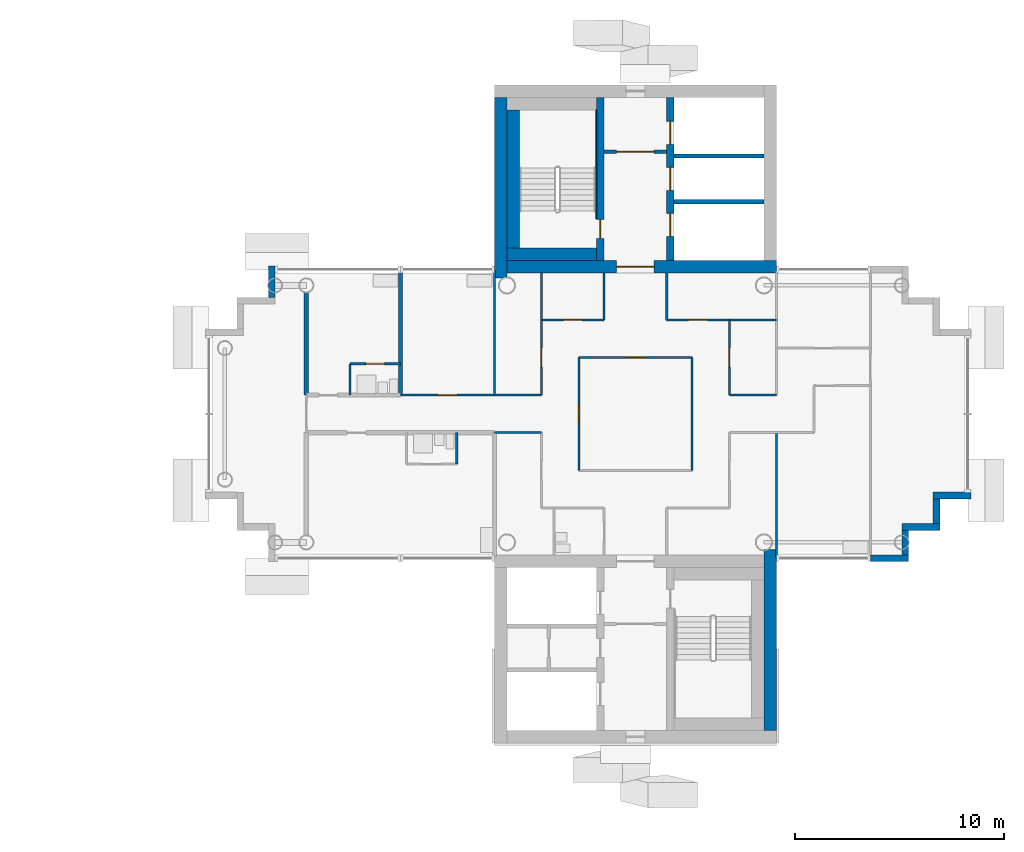
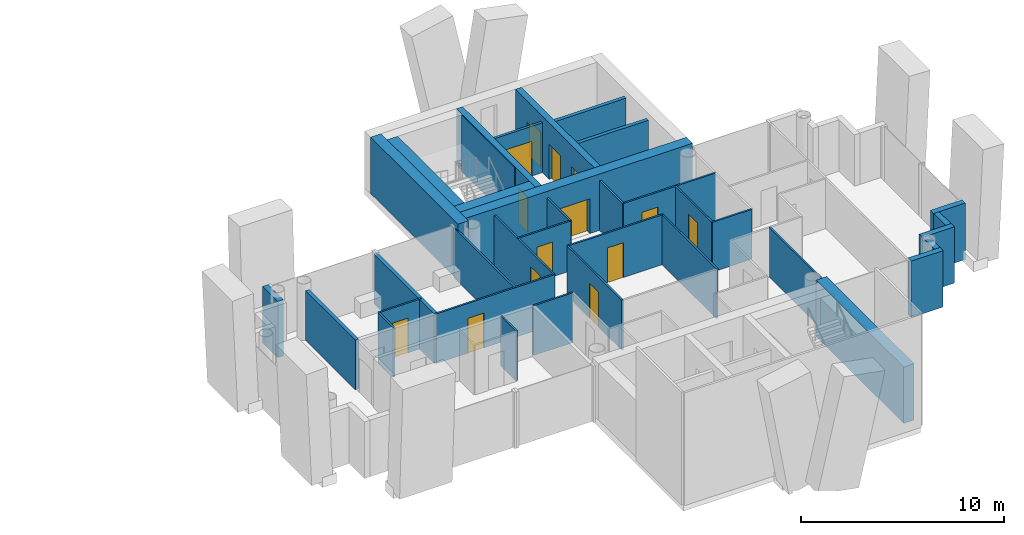
# One storey, part 10 of 18: 36 walls, 14 doors, 14 openings.
"""IFC4 building model written with IfcOpenShell, lengths in metres."""

from ifc_helpers import new_model, si_unit, direction, frame, frame_2d, origin, place, context, subcontext, project, spatial, rectangle, extrude, material, layer, layer_set, type_object, element, fill, save


model = new_model("IFC4")

# Units and contexts
model_context = context("Model", 3, precision=1e-05, world=origin(), true_north=direction((0.0, 1.0)))
body_context = subcontext(model_context, "Body", "Model", "MODEL_VIEW")
ifc_project = project(units=[si_unit("LENGTHUNIT", "METRE"), si_unit("AREAUNIT", "SQUARE_METRE"), si_unit("VOLUMEUNIT", "CUBIC_METRE"), si_unit("PLANEANGLEUNIT", "RADIAN"), si_unit("MASSUNIT", "GRAM", prefix="KILO")], contexts=[model_context])

# Site, building, storey
site_placement = place(None, origin())
site = spatial("IfcSite", under=ifc_project, at=site_placement, CompositionType="ELEMENT")
building_placement = place(site_placement, origin())
building = spatial("IfcBuilding", under=site, at=building_placement, Name="Ipe Terrace Towers", CompositionType="ELEMENT")
storey_placement = place(building_placement, frame((0.0, 0.0, 209.60009765625)))
storey = spatial("IfcBuildingStorey", under=building, at=storey_placement, Name="L58", CompositionType="ELEMENT", Elevation=209.60009765625)

# Walls
ifc_material_1 = material(Name="Concrete C40/50 with buff precast cladding", Category="concrete")
ifc_layer_1 = layer(ifc_material_1, 0.320068359375)
ifc_layer_set_1 = layer_set([ifc_layer_1], Name="BUFF CLADDING WALL 320")
wall_type_1 = type_object("IfcWallType", Name="BUFF CLADDING WALL 320", PredefinedType="STANDARD", material=ifc_layer_set_1)
wall_1_placement = place(storey_placement, frame((47.25, -6.909912109375, -0.300048828125), z_axis=(0.0, 0.0, 1.0), x_axis=(1.0, 0.0, 0.0)))
element("IfcWall", 1, at=wall_1_placement, inside=storey, type_object=wall_type_1, Name="T2-W-L58-03a wall", PredefinedType="STANDARD", context=body_context, shape_type="SweptSolid", body=[
    extrude(rectangle(XDim=1.820068359375, YDim=0.320068359375, at=frame_2d((0.91015625, 0.0))), origin(), (0.0, 0.0, 1.0), 3.39990234375),
])
wall_2_placement = place(storey_placement, frame((48.909912109375, -6.75, -0.300048828125), z_axis=(0.0, 0.0, 1.0), x_axis=(0.0, 1.0, 0.0)))
element("IfcWall", 2, at=wall_2_placement, inside=storey, type_object=wall_type_1, Name="T2-W-L58-04a wall", PredefinedType="STANDARD", context=body_context, shape_type="SweptSolid", body=[
    extrude(rectangle(XDim=1.179931640625, YDim=0.320068359375, at=frame_2d((0.58984375, 0.0))), origin(), (0.0, 0.0, 1.0), 3.39990234375),
])
wall_3_placement = place(storey_placement, frame((48.75, -5.409912109375, -0.300048828125), z_axis=(0.0, 0.0, 1.0), x_axis=(1.0, 0.0, 0.0)))
element("IfcWall", 3, at=wall_3_placement, inside=storey, type_object=wall_type_1, Name="T2-W-L58-05a wall", PredefinedType="STANDARD", context=body_context, shape_type="SweptSolid", body=[
    extrude(rectangle(XDim=1.820068359375, YDim=0.320068359375, at=frame_2d((0.91015625, 0.0))), origin(), (0.0, 0.0, 1.0), 3.39990234375),
])
wall_4_placement = place(storey_placement, frame((50.409912109375, -5.25, -0.300048828125), z_axis=(0.0, 0.0, 1.0), x_axis=(0.0, 1.0, 0.0)))
element("IfcWall", 4, at=wall_4_placement, inside=storey, type_object=wall_type_1, Name="T2-W-L58-06a wall", PredefinedType="STANDARD", context=body_context, shape_type="SweptSolid", body=[
    extrude(rectangle(XDim=1.179931640625, YDim=0.320068359375, at=frame_2d((0.58984375, 0.0))), origin(), (0.0, 0.0, 1.0), 3.39990234375),
])
wall_5_placement = place(storey_placement, frame((50.25, -3.909912109375, -0.300048828125), z_axis=(0.0, 0.0, 1.0), x_axis=(1.0, 0.0, 0.0)))
element("IfcWall", 5, at=wall_5_placement, inside=storey, type_object=wall_type_1, Name="T2-W-L58-07a wall", PredefinedType="STANDARD", context=body_context, shape_type="SweptSolid", body=[
    extrude(rectangle(XDim=1.820068359375, YDim=0.320068359375, at=frame_2d((0.91015625, 0.0))), origin(), (0.0, 0.0, 1.0), 3.39990234375),
])
wall_6_placement = place(storey_placement, frame((18.590087890625, 7.070068359375, -0.300048828125), z_axis=(0.0, 0.0, 1.0), x_axis=(0.0, -1.0, 0.0)))
element("IfcWall", 6, at=wall_6_placement, inside=storey, type_object=wall_type_1, Name="T2-W-L58-22a wall", PredefinedType="STANDARD", context=body_context, shape_type="SweptSolid", body=[
    extrude(rectangle(XDim=1.5, YDim=0.320068359375, at=frame_2d((0.75, 0.0))), origin(), (0.0, 0.0, 1.0), 3.39990234375),
])
ifc_material_2 = material(Name="Gypsum board partition", Category="plasterboard")
ifc_layer_2 = layer(ifc_material_2, 0.10009765625)
ifc_layer_set_2 = layer_set([ifc_layer_2], Name="Gypsum board partition 100 mm")
wall_type_2 = type_object("IfcWallType", Name="Gypsum board partition 100 mm", PredefinedType="PARTITIONING", material=ifc_layer_set_2)
for number, where, z_axis, x_axis, name in (
    (7, (31.5, -0.89990234375, 0.0), (0.0, 0.0, 1.0), (-1.0, 0.0, 0.0), "Gypsum board partition T2 L58 W06"),
    (8, (42.75, 0.89990234375, 0.0), (0.0, 0.0, 1.0), (-1.0, 0.0, 0.0), "Gypsum board partition T2 L58 W08"),
):
    element("IfcWall", number, at=place(storey_placement, frame(where, z_axis=z_axis, x_axis=x_axis)), inside=storey, type_object=wall_type_2, Name=name, PredefinedType="PARTITIONING", context=body_context, shape_type="SweptSolid", body=[
        extrude(rectangle(XDim=2.25, YDim=0.10009765625, at=frame_2d((1.125, 0.0))), origin(), (0.0, 0.0, 1.0), 3.0),
    ])

# Wall, opening, door
wall_7_placement = place(storey_placement, frame((31.5, 0.89990234375, 0.0), z_axis=(0.0, 0.0, 1.0), x_axis=(-1.0, 0.0, 0.0)))
wall_7 = element("IfcWall", 9, at=wall_7_placement, inside=storey, type_object=wall_type_2, Name="Gypsum board partition T2 L58 W09", PredefinedType="PARTITIONING", context=body_context, shape_type="SweptSolid", body=[
    extrude(rectangle(XDim=6.75, YDim=0.10009765625, at=frame_2d((3.375, 0.0))), origin(), (0.0, 0.0, 1.0), 3.0),
])
opening_1_placement = place(wall_7_placement, frame((4.050048828125, 0.0, 0.0)))
opening_1 = element("IfcOpeningElement", 10, at=opening_1_placement, cuts=wall_7, Name="Opening T2-Z4E-12", PredefinedType="OPENING", context=body_context, shape_type="SweptSolid", body=[
    extrude(rectangle(XDim=0.89990234375, YDim=2.10009765625, at=frame_2d((0.449951171875, 1.050048828125))), frame((0.0, 0.06005859375, 0.0), z_axis=(0.0, -1.0, 0.0), x_axis=(1.0, 0.0, 0.0)), (0.0, 0.0, 1.0), 0.1201171875),
])
ifc_material_3 = material(Name="Timber door leaf", Category="wood")
door_type_1 = type_object("IfcDoorType", Name="Lounge door 900 x 2100", OperationType="NOTDEFINED", PredefinedType="DOOR", material=ifc_material_3)
door_1_placement = place(opening_1_placement, origin())
door_1 = element("IfcDoor", 11, at=door_1_placement, inside=storey, type_object=door_type_1, Name="Lounge door T2-Z4E-12", OperationType="SINGLE_SWING_RIGHT", OverallHeight=2.10009765625, OverallWidth=0.89990234375, PredefinedType="DOOR", context=body_context, shape_type="SweptSolid", body=[
    extrude(rectangle(XDim=0.89990234375, YDim=2.10009765625, at=frame_2d((0.449951171875, 1.050048828125))), frame((0.0, 0.02490234375, 0.0), z_axis=(0.0, -1.0, 0.0), x_axis=(1.0, 0.0, 0.0)), (0.0, 0.0, 1.0), 0.050048828125),
])
fill(opening_1, door_1)

wall_8_placement = place(storey_placement, frame((24.75, 2.39990234375, 0.0), z_axis=(0.0, 0.0, 1.0), x_axis=(-1.0, 0.0, 0.0)))
wall_8 = element("IfcWall", 12, at=wall_8_placement, inside=storey, type_object=wall_type_2, Name="Gypsum board partition T2 L58 W12", PredefinedType="PARTITIONING", context=body_context, shape_type="SweptSolid", body=[
    extrude(rectangle(XDim=2.39990234375, YDim=0.10009765625, at=frame_2d((1.199951171875, 0.0))), origin(), (0.0, 0.0, 1.0), 3.0),
])
opening_2_placement = place(wall_8_placement, frame((0.75, 0.0, 0.0)))
opening_2 = element("IfcOpeningElement", 13, at=opening_2_placement, cuts=wall_8, Name="Opening T2-Z4E-14", PredefinedType="OPENING", context=body_context, shape_type="SweptSolid", body=[
    extrude(rectangle(XDim=0.89990234375, YDim=2.10009765625, at=frame_2d((0.449951171875, 1.050048828125))), frame((0.0, 0.06005859375, 0.0), z_axis=(0.0, -1.0, 0.0), x_axis=(1.0, 0.0, 0.0)), (0.0, 0.0, 1.0), 0.1201171875),
])
ifc_material_4 = material(Name="Timber door leaf", Category="wood")
door_type_2 = type_object("IfcDoorType", Name="Bathroom door 900 x 2100", OperationType="NOTDEFINED", PredefinedType="DOOR", material=ifc_material_4)
door_2_placement = place(opening_2_placement, origin())
door_2 = element("IfcDoor", 14, at=door_2_placement, inside=storey, type_object=door_type_2, Name="Bathroom door T2-Z4E-14", OperationType="SINGLE_SWING_RIGHT", OverallHeight=2.10009765625, OverallWidth=0.89990234375, PredefinedType="DOOR", context=body_context, shape_type="SweptSolid", body=[
    extrude(rectangle(XDim=0.89990234375, YDim=2.10009765625, at=frame_2d((0.449951171875, 1.050048828125))), frame((0.0, 0.02490234375, 0.0), z_axis=(0.0, -1.0, 0.0), x_axis=(1.0, 0.0, 0.0)), (0.0, 0.0, 1.0), 0.050048828125),
])
fill(opening_2, door_2)

wall_9_placement = place(storey_placement, frame((38.699951171875, 2.699951171875, 0.0), z_axis=(0.0, 0.0, 1.0), x_axis=(-1.0, 0.0, 0.0)))
wall_9 = element("IfcWall", 15, at=wall_9_placement, inside=storey, type_object=wall_type_2, Name="Gypsum board partition T2 L58 W13", PredefinedType="PARTITIONING", context=body_context, shape_type="SweptSolid", body=[
    extrude(rectangle(XDim=5.39990234375, YDim=0.10009765625, at=frame_2d((2.699951171875, 0.0))), origin(), (0.0, 0.0, 1.0), 3.0),
])
opening_3_placement = place(wall_9_placement, frame((2.25, 0.0, 0.0)))
opening_3 = element("IfcOpeningElement", 16, at=opening_3_placement, cuts=wall_9, Name="Opening T2-Z4E-02", PredefinedType="OPENING", context=body_context, shape_type="SweptSolid", body=[
    extrude(rectangle(XDim=0.89990234375, YDim=2.10009765625, at=frame_2d((0.449951171875, 1.050048828125))), frame((0.0, 0.06005859375, 0.0), z_axis=(0.0, -1.0, 0.0), x_axis=(1.0, 0.0, 0.0)), (0.0, 0.0, 1.0), 0.1201171875),
])
door_3_placement = place(opening_3_placement, origin())
door_3 = element("IfcDoor", 17, at=door_3_placement, inside=storey, type_object=door_type_1, Name="Lounge door T2-Z4E-02", OperationType="SINGLE_SWING_LEFT", OverallHeight=2.10009765625, OverallWidth=0.89990234375, PredefinedType="DOOR", context=body_context, shape_type="SweptSolid", body=[
    extrude(rectangle(XDim=0.89990234375, YDim=2.10009765625, at=frame_2d((0.449951171875, 1.050048828125))), frame((0.0, 0.02490234375, 0.0), z_axis=(0.0, -1.0, 0.0), x_axis=(1.0, 0.0, 0.0)), (0.0, 0.0, 1.0), 0.050048828125),
])
fill(opening_3, door_3)

wall_10_placement = place(storey_placement, frame((42.75, 4.5, 0.0), z_axis=(0.0, 0.0, 1.0), x_axis=(-1.0, 0.0, 0.0)))
wall_10 = element("IfcWall", 18, at=wall_10_placement, inside=storey, type_object=wall_type_2, Name="Gypsum board partition T2 L58 W15", PredefinedType="PARTITIONING", context=body_context, shape_type="SweptSolid", body=[
    extrude(rectangle(XDim=5.25, YDim=0.10009765625, at=frame_2d((2.625, 0.0))), origin(), (0.0, 0.0, 1.0), 3.0),
])
opening_4_placement = place(wall_10_placement, frame((3.300048828125, 0.0, 0.0)))
opening_4 = element("IfcOpeningElement", 19, at=opening_4_placement, cuts=wall_10, Name="Opening T2-Z4E-09", PredefinedType="OPENING", context=body_context, shape_type="SweptSolid", body=[
    extrude(rectangle(XDim=0.89990234375, YDim=2.10009765625, at=frame_2d((0.449951171875, 1.050048828125))), frame((0.0, 0.06005859375, 0.0), z_axis=(0.0, -1.0, 0.0), x_axis=(1.0, 0.0, 0.0)), (0.0, 0.0, 1.0), 0.1201171875),
])
door_4_placement = place(opening_4_placement, origin())
door_4 = element("IfcDoor", 20, at=door_4_placement, inside=storey, type_object=door_type_1, Name="Lounge door T2-Z4E-09", OperationType="SINGLE_SWING_RIGHT", OverallHeight=2.10009765625, OverallWidth=0.89990234375, PredefinedType="DOOR", context=body_context, shape_type="SweptSolid", body=[
    extrude(rectangle(XDim=0.89990234375, YDim=2.10009765625, at=frame_2d((0.449951171875, 1.050048828125))), frame((0.0, 0.02490234375, 0.0), z_axis=(0.0, -1.0, 0.0), x_axis=(1.0, 0.0, 0.0)), (0.0, 0.0, 1.0), 0.050048828125),
])
fill(opening_4, door_4)

wall_11_placement = place(storey_placement, frame((34.5, 4.5, 0.0), z_axis=(0.0, 0.0, 1.0), x_axis=(-1.0, 0.0, 0.0)))
wall_11 = element("IfcWall", 21, at=wall_11_placement, inside=storey, type_object=wall_type_2, Name="Gypsum board partition T2 L58 W16", PredefinedType="PARTITIONING", context=body_context, shape_type="SweptSolid", body=[
    extrude(rectangle(XDim=3.0, YDim=0.10009765625, at=frame_2d((1.5, 0.0))), origin(), (0.0, 0.0, 1.0), 3.0),
])
opening_5_placement = place(wall_11_placement, frame((1.050048828125, 0.0, 0.0)))
opening_5 = element("IfcOpeningElement", 22, at=opening_5_placement, cuts=wall_11, Name="Opening T2-Z4E-05", PredefinedType="OPENING", context=body_context, shape_type="SweptSolid", body=[
    extrude(rectangle(XDim=0.89990234375, YDim=2.10009765625, at=frame_2d((0.449951171875, 1.050048828125))), frame((0.0, 0.06005859375, 0.0), z_axis=(0.0, -1.0, 0.0), x_axis=(1.0, 0.0, 0.0)), (0.0, 0.0, 1.0), 0.1201171875),
])
door_5_placement = place(opening_5_placement, origin())
door_5 = element("IfcDoor", 23, at=door_5_placement, inside=storey, type_object=door_type_1, Name="Lounge door T2-Z4E-05", OperationType="SINGLE_SWING_RIGHT", OverallHeight=2.10009765625, OverallWidth=0.89990234375, PredefinedType="DOOR", context=body_context, shape_type="SweptSolid", body=[
    extrude(rectangle(XDim=0.89990234375, YDim=2.10009765625, at=frame_2d((0.449951171875, 1.050048828125))), frame((0.0, 0.02490234375, 0.0), z_axis=(0.0, -1.0, 0.0), x_axis=(1.0, 0.0, 0.0)), (0.0, 0.0, 1.0), 0.050048828125),
])
fill(opening_5, door_5)

# Wall
wall_12_placement = place(storey_placement, frame((42.75, -6.85009765625, 0.0), z_axis=(0.0, 0.0, 1.0), x_axis=(0.0, 1.0, 0.0)))
element("IfcWall", 24, at=wall_12_placement, inside=storey, type_object=wall_type_2, Name="Gypsum board partition T2 L58 W19", PredefinedType="PARTITIONING", context=body_context, shape_type="SweptSolid", body=[
    extrude(rectangle(XDim=5.9501953125, YDim=0.10009765625, at=frame_2d((2.97509765625, 0.0))), origin(), (0.0, 0.0, 1.0), 3.0),
])

# Wall, opening, door
wall_13_placement = place(storey_placement, frame((40.5, 0.89990234375, 0.0), z_axis=(0.0, 0.0, 1.0), x_axis=(0.0, 1.0, 0.0)))
wall_13 = element("IfcWall", 25, at=wall_13_placement, inside=storey, type_object=wall_type_2, Name="Gypsum board partition T2 L58 W22", PredefinedType="PARTITIONING", context=body_context, shape_type="SweptSolid", body=[
    extrude(rectangle(XDim=3.60009765625, YDim=0.10009765625, at=frame_2d((1.800048828125, 0.0))), origin(), (0.0, 0.0, 1.0), 3.0),
])
opening_6_placement = place(wall_13_placement, frame((1.35009765625, 0.0, 0.0)))
opening_6 = element("IfcOpeningElement", 26, at=opening_6_placement, cuts=wall_13, Name="Opening T2-Z4E-08", PredefinedType="OPENING", context=body_context, shape_type="SweptSolid", body=[
    extrude(rectangle(XDim=0.89990234375, YDim=2.10009765625, at=frame_2d((0.449951171875, 1.050048828125))), frame((0.0, 0.06005859375, 0.0), z_axis=(0.0, -1.0, 0.0), x_axis=(1.0, 0.0, 0.0)), (0.0, 0.0, 1.0), 0.1201171875),
])
door_6_placement = place(opening_6_placement, origin())
door_6 = element("IfcDoor", 27, at=door_6_placement, inside=storey, type_object=door_type_1, Name="Lounge door T2-Z4E-08", OperationType="SINGLE_SWING_RIGHT", OverallHeight=2.10009765625, OverallWidth=0.89990234375, PredefinedType="DOOR", context=body_context, shape_type="SweptSolid", body=[
    extrude(rectangle(XDim=0.89990234375, YDim=2.10009765625, at=frame_2d((0.449951171875, 1.050048828125))), frame((0.0, 0.02490234375, 0.0), z_axis=(0.0, -1.0, 0.0), x_axis=(1.0, 0.0, 0.0)), (0.0, 0.0, 1.0), 0.050048828125),
])
fill(opening_6, door_6)

# Walls
wall_14_placement = place(storey_placement, frame((38.699951171875, -2.699951171875, 0.0), z_axis=(0.0, 0.0, 1.0), x_axis=(0.0, 1.0, 0.0)))
element("IfcWall", 28, at=wall_14_placement, inside=storey, type_object=wall_type_2, Name="Gypsum board partition T2 L58 W23", PredefinedType="PARTITIONING", context=body_context, shape_type="SweptSolid", body=[
    extrude(rectangle(XDim=5.39990234375, YDim=0.10009765625, at=frame_2d((2.699951171875, 0.0))), origin(), (0.0, 0.0, 1.0), 3.0),
])
for number, where, z_axis, x_axis, name in (
    (29, (37.5, 4.5, 0.0), (0.0, 0.0, 1.0), (0.0, 1.0, 0.0), "Gypsum board partition T2 L58 W25"),
    (30, (34.5, 4.5, 0.0), (0.0, 0.0, 1.0), (0.0, 1.0, 0.0), "Gypsum board partition T2 L58 W27"),
):
    element("IfcWall", number, at=place(storey_placement, frame(where, z_axis=z_axis, x_axis=x_axis)), inside=storey, type_object=wall_type_2, Name=name, PredefinedType="PARTITIONING", context=body_context, shape_type="SweptSolid", body=[
        extrude(rectangle(XDim=2.25, YDim=0.10009765625, at=frame_2d((1.125, 0.0))), origin(), (0.0, 0.0, 1.0), 3.0),
    ])

# Wall, opening, door
wall_15_placement = place(storey_placement, frame((33.300048828125, -2.699951171875, 0.0), z_axis=(0.0, 0.0, 1.0), x_axis=(0.0, 1.0, 0.0)))
wall_15 = element("IfcWall", 31, at=wall_15_placement, inside=storey, type_object=wall_type_2, Name="Gypsum board partition T2 L58 W28", PredefinedType="PARTITIONING", context=body_context, shape_type="SweptSolid", body=[
    extrude(rectangle(XDim=5.39990234375, YDim=0.10009765625, at=frame_2d((2.699951171875, 0.0))), origin(), (0.0, 0.0, 1.0), 3.0),
])
opening_7_placement = place(wall_15_placement, frame((2.25, 0.0, 0.0)))
opening_7 = element("IfcOpeningElement", 32, at=opening_7_placement, cuts=wall_15, Name="Opening T2-Z4E-01", PredefinedType="OPENING", context=body_context, shape_type="SweptSolid", body=[
    extrude(rectangle(XDim=0.89990234375, YDim=2.10009765625, at=frame_2d((0.449951171875, 1.050048828125))), frame((0.0, 0.06005859375, 0.0), z_axis=(0.0, -1.0, 0.0), x_axis=(1.0, 0.0, 0.0)), (0.0, 0.0, 1.0), 0.1201171875),
])
door_7_placement = place(opening_7_placement, origin())
door_7 = element("IfcDoor", 33, at=door_7_placement, inside=storey, type_object=door_type_1, Name="Lounge door T2-Z4E-01", OperationType="SINGLE_SWING_RIGHT", OverallHeight=2.10009765625, OverallWidth=0.89990234375, PredefinedType="DOOR", context=body_context, shape_type="SweptSolid", body=[
    extrude(rectangle(XDim=0.89990234375, YDim=2.10009765625, at=frame_2d((0.449951171875, 1.050048828125))), frame((0.0, 0.02490234375, 0.0), z_axis=(0.0, -1.0, 0.0), x_axis=(1.0, 0.0, 0.0)), (0.0, 0.0, 1.0), 0.050048828125),
])
fill(opening_7, door_7)

wall_16_placement = place(storey_placement, frame((31.5, 0.89990234375, 0.0), z_axis=(0.0, 0.0, 1.0), x_axis=(0.0, 1.0, 0.0)))
wall_16 = element("IfcWall", 34, at=wall_16_placement, inside=storey, type_object=wall_type_2, Name="Gypsum board partition T2 L58 W31", PredefinedType="PARTITIONING", context=body_context, shape_type="SweptSolid", body=[
    extrude(rectangle(XDim=5.85009765625, YDim=0.10009765625, at=frame_2d((2.925048828125, 0.0))), origin(), (0.0, 0.0, 1.0), 3.0),
])
opening_8_placement = place(wall_16_placement, frame((1.35009765625, 0.0, 0.0)))
opening_8 = element("IfcOpeningElement", 35, at=opening_8_placement, cuts=wall_16, Name="Opening T2-Z4E-04", PredefinedType="OPENING", context=body_context, shape_type="SweptSolid", body=[
    extrude(rectangle(XDim=0.89990234375, YDim=2.10009765625, at=frame_2d((0.449951171875, 1.050048828125))), frame((0.0, 0.06005859375, 0.0), z_axis=(0.0, -1.0, 0.0), x_axis=(1.0, 0.0, 0.0)), (0.0, 0.0, 1.0), 0.1201171875),
])
door_8_placement = place(opening_8_placement, origin())
door_8 = element("IfcDoor", 36, at=door_8_placement, inside=storey, type_object=door_type_1, Name="Lounge door T2-Z4E-04", OperationType="SINGLE_SWING_RIGHT", OverallHeight=2.10009765625, OverallWidth=0.89990234375, PredefinedType="DOOR", context=body_context, shape_type="SweptSolid", body=[
    extrude(rectangle(XDim=0.89990234375, YDim=2.10009765625, at=frame_2d((0.449951171875, 1.050048828125))), frame((0.0, 0.02490234375, 0.0), z_axis=(0.0, -1.0, 0.0), x_axis=(1.0, 0.0, 0.0)), (0.0, 0.0, 1.0), 0.050048828125),
])
fill(opening_8, door_8)

# Walls
wall_17_placement = place(storey_placement, frame((29.25, 0.89990234375, 0.0), z_axis=(0.0, 0.0, 1.0), x_axis=(0.0, 1.0, 0.0)))
element("IfcWall", 37, at=wall_17_placement, inside=storey, type_object=wall_type_2, Name="Gypsum board partition T2 L58 W32", PredefinedType="PARTITIONING", context=body_context, shape_type="SweptSolid", body=[
    extrude(rectangle(XDim=5.9501953125, YDim=0.10009765625, at=frame_2d((2.97509765625, 0.0))), origin(), (0.0, 0.0, 1.0), 3.0),
])
for number, where, z_axis, x_axis, name in (
    (38, (27.449951171875, -2.39990234375, 0.0), (0.0, 0.0, 1.0), (0.0, 1.0, 0.0), "Gypsum board partition T2 L58 W34"),
    (39, (22.35009765625, 0.89990234375, 0.0), (0.0, 0.0, 1.0), (0.0, 1.0, 0.0), "Gypsum board partition T2 L58 W37"),
):
    element("IfcWall", number, at=place(storey_placement, frame(where, z_axis=z_axis, x_axis=x_axis)), inside=storey, type_object=wall_type_2, Name=name, PredefinedType="PARTITIONING", context=body_context, shape_type="SweptSolid", body=[
        extrude(rectangle(XDim=1.5, YDim=0.10009765625, at=frame_2d((0.75, 0.0))), origin(), (0.0, 0.0, 1.0), 3.0),
    ])

# Wall, opening, door
ifc_material_5 = material(Name="Gypsum board partition", Category="plasterboard")
ifc_layer_3 = layer(ifc_material_5, 0.14990234375)
ifc_layer_set_3 = layer_set([ifc_layer_3], Name="Gypsum board partition 150 mm")
wall_type_3 = type_object("IfcWallType", Name="Gypsum board partition 150 mm", PredefinedType="PARTITIONING", material=ifc_layer_set_3)
wall_18_placement = place(storey_placement, frame((37.5, 12.550048828125, 0.0), z_axis=(0.0, 0.0, 1.0), x_axis=(-1.0, 0.0, 0.0)))
wall_18 = element("IfcWall", 40, at=wall_18_placement, inside=storey, type_object=wall_type_3, Name="Gypsum board partition T2 L58 t2c1-lobby-wall", PredefinedType="PARTITIONING", context=body_context, shape_type="SweptSolid", body=[
    extrude(rectangle(XDim=3.0, YDim=0.14990234375, at=frame_2d((1.5, 0.0))), origin(), (0.0, 0.0, 1.0), 3.0),
])
opening_9_placement = place(wall_18_placement, frame((0.60009765625, 0.0, 0.0)))
opening_9 = element("IfcOpeningElement", 41, at=opening_9_placement, cuts=wall_18, Name="Opening T2C1-VD", PredefinedType="OPENING", context=body_context, shape_type="SweptSolid", body=[
    extrude(rectangle(XDim=1.800048828125, YDim=2.10009765625, at=frame_2d((0.89990234375, 1.050048828125))), frame((0.0, 0.0849609375, 0.0), z_axis=(0.0, -1.0, 0.0), x_axis=(1.0, 0.0, 0.0)), (0.0, 0.0, 1.0), 0.169921875),
])
ifc_material_6 = material(Name="Fire-rated timber door leaf", Category="wood")
door_type_3 = type_object("IfcDoorType", Name="Lobby door 1800 x 2100 FD60", OperationType="NOTDEFINED", PredefinedType="DOOR", material=ifc_material_6)
door_9_placement = place(opening_9_placement, origin())
door_9 = element("IfcDoor", 42, at=door_9_placement, inside=storey, type_object=door_type_3, Name="Lobby door T2C1-VD", OperationType="SINGLE_SWING_LEFT", OverallHeight=2.10009765625, OverallWidth=1.800048828125, PredefinedType="DOOR", context=body_context, shape_type="SweptSolid", body=[
    extrude(rectangle(XDim=1.800048828125, YDim=2.10009765625, at=frame_2d((0.89990234375, 1.050048828125))), frame((0.0, 0.02490234375, 0.0), z_axis=(0.0, -1.0, 0.0), x_axis=(1.0, 0.0, 0.0)), (0.0, 0.0, 1.0), 0.050048828125),
])
fill(opening_9, door_9)

# Walls
ifc_material_7 = material(Name="Gypsum board party wall", Category="plasterboard")
ifc_layer_4 = layer(ifc_material_7, 0.199951171875)
ifc_layer_set_4 = layer_set([ifc_layer_4], Name="Gypsum board party wall 200 mm")
wall_type_4 = type_object("IfcWallType", Name="Gypsum board party wall 200 mm", PredefinedType="SOLIDWALL", material=ifc_layer_set_4)
for number, where, z_axis, x_axis, name in (
    (43, (42.14990234375, 10.14990234375, 0.0), (0.0, 0.0, 1.0), (-1.0, 0.0, 0.0), "Gypsum board party wall T2 L58 t2c1-shaft-div1"),
    (44, (42.14990234375, 12.35009765625, 0.0), (0.0, 0.0, 1.0), (-1.0, 0.0, 0.0), "Gypsum board party wall T2 L58 t2c1-shaft-div2"),
):
    element("IfcWall", number, at=place(storey_placement, frame(where, z_axis=z_axis, x_axis=x_axis)), inside=storey, type_object=wall_type_4, Name=name, PredefinedType="SOLIDWALL", context=body_context, shape_type="SweptSolid", body=[
        extrude(rectangle(XDim=4.2998046875, YDim=0.199951171875, at=frame_2d((2.14990234375, 0.0))), origin(), (0.0, 0.0, 1.0), 3.0),
    ])
wall_19_placement = place(storey_placement, frame((24.75, 0.89990234375, 0.0), z_axis=(0.0, 0.0, 1.0), x_axis=(0.0, 1.0, 0.0)))
element("IfcWall", 45, at=wall_19_placement, inside=storey, type_object=wall_type_4, Name="Gypsum board party wall T2 L58 W36", PredefinedType="SOLIDWALL", context=body_context, shape_type="SweptSolid", body=[
    extrude(rectangle(XDim=5.9501953125, YDim=0.199951171875, at=frame_2d((2.97509765625, 0.0))), origin(), (0.0, 0.0, 1.0), 3.0),
])
wall_20_placement = place(storey_placement, frame((20.25, 0.89990234375, 0.0), z_axis=(0.0, 0.0, 1.0), x_axis=(0.0, 1.0, 0.0)))
element("IfcWall", 46, at=wall_20_placement, inside=storey, type_object=wall_type_4, Name="Gypsum board party wall T2 L58 W40", PredefinedType="SOLIDWALL", context=body_context, shape_type="SweptSolid", body=[
    extrude(rectangle(XDim=4.900146484375, YDim=0.199951171875, at=frame_2d((2.4501953125, 0.0))), origin(), (0.0, 0.0, 1.0), 3.0),
])

# Wall, opening, door
ifc_material_8 = material(Name="Concrete C40/50", Category="concrete")
ifc_layer_5 = layer(ifc_material_8, 0.35009765625)
ifc_layer_set_5 = layer_set([ifc_layer_5], Name="RW350 CORE SPINE WALL 350 C40-50")
wall_type_5 = type_object("IfcWallType", Name="RW350 CORE SPINE WALL 350 C40-50", PredefinedType="SHEAR", material=ifc_layer_set_5)
wall_21_placement = place(storey_placement, frame((34.324951171875, 7.35009765625, 0.0), z_axis=(0.0, 0.0, 1.0), x_axis=(0.0, 1.0, 0.0)))
wall_21 = element("IfcWall", 47, at=wall_21_placement, inside=storey, type_object=wall_type_5, Name="Core spine wall T2-C1-Z4-SW1", PredefinedType="SHEAR", context=body_context, shape_type="SweptSolid", body=[
    extrude(rectangle(XDim=7.7998046875, YDim=0.35009765625, at=frame_2d((3.89990234375, 0.0))), origin(), (0.0, 0.0, 1.0), 3.39990234375),
])
opening_10_placement = place(wall_21_placement, frame((1.050048828125, 0.0, 0.0)))
opening_10 = element("IfcOpeningElement", 48, at=opening_10_placement, cuts=wall_21, Name="Opening T2C1-SD", PredefinedType="OPENING", context=body_context, shape_type="SweptSolid", body=[
    extrude(rectangle(XDim=0.89990234375, YDim=2.10009765625, at=frame_2d((0.449951171875, 1.050048828125))), frame((0.0, 0.18505859375, 0.0), z_axis=(0.0, -1.0, 0.0), x_axis=(1.0, 0.0, 0.0)), (0.0, 0.0, 1.0), 0.3701171875),
])
ifc_material_9 = material(Name="Fire-rated timber door leaf", Category="wood")
door_type_4 = type_object("IfcDoorType", Name="Stair door 900 x 2100 FD60", OperationType="NOTDEFINED", PredefinedType="DOOR", material=ifc_material_9)
door_10_placement = place(opening_10_placement, origin())
door_10 = element("IfcDoor", 49, at=door_10_placement, inside=storey, type_object=door_type_4, Name="Stair door T2C1-SD", OperationType="SINGLE_SWING_LEFT", OverallHeight=2.10009765625, OverallWidth=0.89990234375, PredefinedType="DOOR", context=body_context, shape_type="SweptSolid", body=[
    extrude(rectangle(XDim=0.89990234375, YDim=2.10009765625, at=frame_2d((0.449951171875, 1.050048828125))), frame((0.0, 0.02490234375, 0.0), z_axis=(0.0, -1.0, 0.0), x_axis=(1.0, 0.0, 0.0)), (0.0, 0.0, 1.0), 0.050048828125),
])
fill(opening_10, door_10)

# Wall, openings, doors
wall_22_placement = place(storey_placement, frame((37.675048828125, 7.35009765625, 0.0), z_axis=(0.0, 0.0, 1.0), x_axis=(0.0, 1.0, 0.0)))
wall_22 = element("IfcWall", 50, at=wall_22_placement, inside=storey, type_object=wall_type_5, Name="Core spine wall T2-C1-Z4-SW2", PredefinedType="SHEAR", context=body_context, shape_type="SweptSolid", body=[
    extrude(rectangle(XDim=7.7998046875, YDim=0.35009765625, at=frame_2d((3.89990234375, 0.0))), origin(), (0.0, 0.0, 1.0), 3.39990234375),
])
opening_11_placement = place(wall_22_placement, frame((1.14990234375, 0.0, 0.0)))
opening_11 = element("IfcOpeningElement", 51, at=opening_11_placement, cuts=wall_22, Name="Opening T2C1-LD1", PredefinedType="OPENING", context=body_context, shape_type="SweptSolid", body=[
    extrude(rectangle(XDim=1.10009765625, YDim=2.10009765625, at=frame_2d((0.550048828125, 1.050048828125))), frame((0.0, 0.18505859375, 0.0), z_axis=(0.0, -1.0, 0.0), x_axis=(1.0, 0.0, 0.0)), (0.0, 0.0, 1.0), 0.3701171875),
])
opening_12_placement = place(wall_22_placement, frame((3.35009765625, 0.0, 0.0)))
opening_12 = element("IfcOpeningElement", 52, at=opening_12_placement, cuts=wall_22, Name="Opening T2C1-LD2", PredefinedType="OPENING", context=body_context, shape_type="SweptSolid", body=[
    extrude(rectangle(XDim=1.10009765625, YDim=2.10009765625, at=frame_2d((0.550048828125, 1.050048828125))), frame((0.0, 0.18505859375, 0.0), z_axis=(0.0, -1.0, 0.0), x_axis=(1.0, 0.0, 0.0)), (0.0, 0.0, 1.0), 0.3701171875),
])
opening_13_placement = place(wall_22_placement, frame((5.550048828125, 0.0, 0.0)))
opening_13 = element("IfcOpeningElement", 53, at=opening_13_placement, cuts=wall_22, Name="Opening T2C1-LD3", PredefinedType="OPENING", context=body_context, shape_type="SweptSolid", body=[
    extrude(rectangle(XDim=1.10009765625, YDim=2.10009765625, at=frame_2d((0.550048828125, 1.050048828125))), frame((0.0, 0.18505859375, 0.0), z_axis=(0.0, -1.0, 0.0), x_axis=(1.0, 0.0, 0.0)), (0.0, 0.0, 1.0), 0.3701171875),
])
ifc_material_10 = material(Name="Fire-rated timber door leaf", Category="wood")
door_type_5 = type_object("IfcDoorType", Name="Sliding door 1100 x 2100 FD60", OperationType="SLIDING_TO_LEFT", PredefinedType="DOOR", material=ifc_material_10)
door_11_placement = place(opening_11_placement, origin())
door_11 = element("IfcDoor", 54, at=door_11_placement, inside=storey, type_object=door_type_5, Name="Sliding door T2C1-LD1", OperationType="SLIDING_TO_LEFT", OverallHeight=2.10009765625, OverallWidth=1.10009765625, PredefinedType="DOOR", context=body_context, shape_type="SweptSolid", body=[
    extrude(rectangle(XDim=1.10009765625, YDim=2.10009765625, at=frame_2d((0.550048828125, 1.050048828125))), frame((0.0, 0.02490234375, 0.0), z_axis=(0.0, -1.0, 0.0), x_axis=(1.0, 0.0, 0.0)), (0.0, 0.0, 1.0), 0.050048828125),
])
fill(opening_11, door_11)
door_12_placement = place(opening_12_placement, origin())
door_12 = element("IfcDoor", 55, at=door_12_placement, inside=storey, type_object=door_type_5, Name="Sliding door T2C1-LD2", OperationType="SLIDING_TO_LEFT", OverallHeight=2.10009765625, OverallWidth=1.10009765625, PredefinedType="DOOR", context=body_context, shape_type="SweptSolid", body=[
    extrude(rectangle(XDim=1.10009765625, YDim=2.10009765625, at=frame_2d((0.550048828125, 1.050048828125))), frame((0.0, 0.02490234375, 0.0), z_axis=(0.0, -1.0, 0.0), x_axis=(1.0, 0.0, 0.0)), (0.0, 0.0, 1.0), 0.050048828125),
])
fill(opening_12, door_12)
door_13_placement = place(opening_13_placement, origin())
door_13 = element("IfcDoor", 56, at=door_13_placement, inside=storey, type_object=door_type_5, Name="Sliding door T2C1-LD3", OperationType="SLIDING_TO_LEFT", OverallHeight=2.10009765625, OverallWidth=1.10009765625, PredefinedType="DOOR", context=body_context, shape_type="SweptSolid", body=[
    extrude(rectangle(XDim=1.10009765625, YDim=2.10009765625, at=frame_2d((0.550048828125, 1.050048828125))), frame((0.0, 0.02490234375, 0.0), z_axis=(0.0, -1.0, 0.0), x_axis=(1.0, 0.0, 0.0)), (0.0, 0.0, 1.0), 0.050048828125),
])
fill(opening_13, door_13)

# Walls
ifc_material_11 = material(Name="Concrete C40/50", Category="concrete")
ifc_layer_6 = layer(ifc_material_11, 0.050048828125)
ifc_layer_set_6 = layer_set([ifc_layer_6], Name="RW50 CORE INFILL WALL 50 C40-50")
wall_type_6 = type_object("IfcWallType", Name="RW50 CORE INFILL WALL 50 C40-50", PredefinedType="SHEAR", material=ifc_layer_set_6)
wall_23_placement = place(storey_placement, frame((34.125, 9.35009765625, 0.0), z_axis=(0.0, 0.0, 1.0), x_axis=(0.0, 1.0, 0.0)))
element("IfcWall", 57, at=wall_23_placement, inside=storey, type_object=wall_type_6, Name="Core infill wall T2-C1-spine-b", PredefinedType="SHEAR", context=body_context, shape_type="SweptSolid", body=[
    extrude(rectangle(XDim=5.199951171875, YDim=0.050048828125, at=frame_2d((2.60009765625, 0.0))), origin(), (0.0, 0.0, 1.0), 3.39990234375),
])
ifc_material_12 = material(Name="Concrete C40/50", Category="concrete")
ifc_layer_7 = layer(ifc_material_12, 0.60009765625)
ifc_layer_set_7 = layer_set([ifc_layer_7], Name="RW600 CORE INFILL WALL 600 C40-50")
wall_type_7 = type_object("IfcWallType", Name="RW600 CORE INFILL WALL 600 C40-50", PredefinedType="SHEAR", material=ifc_layer_set_7)
wall_24_placement = place(storey_placement, frame((30.14990234375, 7.949951171875, 0.0), z_axis=(0.0, 0.0, 1.0), x_axis=(0.0, 1.0, 0.0)))
element("IfcWall", 58, at=wall_24_placement, inside=storey, type_object=wall_type_7, Name="Core infill wall T2-C1-back", PredefinedType="SHEAR", context=body_context, shape_type="SweptSolid", body=[
    extrude(rectangle(XDim=6.60009765625, YDim=0.60009765625, at=frame_2d((3.300048828125, 0.0))), origin(), (0.0, 0.0, 1.0), 3.39990234375),
])
wall_25_placement = place(storey_placement, frame((34.14990234375, 7.64990234375, 0.0), z_axis=(0.0, 0.0, 1.0), x_axis=(-1.0, 0.0, 0.0)))
element("IfcWall", 59, at=wall_25_placement, inside=storey, type_object=wall_type_7, Name="Core infill wall T2-C1-near", PredefinedType="SHEAR", context=body_context, shape_type="SweptSolid", body=[
    extrude(rectangle(XDim=4.2998046875, YDim=0.60009765625, at=frame_2d((2.14990234375, 0.0))), origin(), (0.0, 0.0, 1.0), 3.39990234375),
])

# Wall, opening, door
ifc_material_13 = material(Name="Concrete C40/50", Category="concrete")
ifc_layer_8 = layer(ifc_material_13, 0.60009765625)
ifc_layer_set_8 = layer_set([ifc_layer_8], Name="RW600 CORE WALL 600 C40-50")
wall_type_8 = type_object("IfcWallType", Name="RW600 CORE WALL 600 C40-50", PredefinedType="SHEAR", material=ifc_layer_set_8)
wall_26_placement = place(storey_placement, frame((29.85009765625, 7.050048828125, 0.0), z_axis=(0.0, 0.0, 1.0), x_axis=(1.0, 0.0, 0.0)))
wall_26 = element("IfcWall", 60, at=wall_26_placement, inside=storey, type_object=wall_type_8, Name="Core wall T2-C1-Z4-W01", PredefinedType="SHEAR", context=body_context, shape_type="SweptSolid", body=[
    extrude(rectangle(XDim=12.89990234375, YDim=0.60009765625, at=frame_2d((6.449951171875, 0.0))), origin(), (0.0, 0.0, 1.0), 3.39990234375),
])
opening_14_placement = place(wall_26_placement, frame((5.25, 0.0, 0.0)))
opening_14 = element("IfcOpeningElement", 61, at=opening_14_placement, cuts=wall_26, Name="Opening T2C1-ND", PredefinedType="OPENING", context=body_context, shape_type="SweptSolid", body=[
    extrude(rectangle(XDim=1.800048828125, YDim=2.10009765625, at=frame_2d((0.89990234375, 1.050048828125))), frame((0.0, 0.31005859375, 0.0), z_axis=(0.0, -1.0, 0.0), x_axis=(1.0, 0.0, 0.0)), (0.0, 0.0, 1.0), 0.6201171875),
])
ifc_material_14 = material(Name="Fire-rated timber door leaf", Category="wood")
door_type_6 = type_object("IfcDoorType", Name="Fire door 1800 x 2100 FD30S", OperationType="NOTDEFINED", PredefinedType="DOOR", material=ifc_material_14)
door_14_placement = place(opening_14_placement, origin())
door_14 = element("IfcDoor", 62, at=door_14_placement, inside=storey, type_object=door_type_6, Name="Fire door T2C1-ND", OperationType="SINGLE_SWING_LEFT", OverallHeight=2.10009765625, OverallWidth=1.800048828125, PredefinedType="DOOR", context=body_context, shape_type="SweptSolid", body=[
    extrude(rectangle(XDim=1.800048828125, YDim=2.10009765625, at=frame_2d((0.89990234375, 1.050048828125))), frame((0.0, 0.02490234375, 0.0), z_axis=(0.0, -1.0, 0.0), x_axis=(1.0, 0.0, 0.0)), (0.0, 0.0, 1.0), 0.050048828125),
])
fill(opening_14, door_14)

# Walls
for number, where, z_axis, x_axis, name in (
    (63, (29.550048828125, 15.14990234375, 0.0), (0.0, 0.0, 1.0), (0.0, -1.0, 0.0), "Core wall T2-C1-Z4-W04"),
    (64, (42.449951171875, -15.14990234375, 0.0), (0.0, 0.0, 1.0), (0.0, 1.0, 0.0), "Core wall T2-C2-Z4-W02"),
):
    element("IfcWall", number, at=place(storey_placement, frame(where, z_axis=z_axis, x_axis=x_axis)), inside=storey, type_object=wall_type_8, Name=name, PredefinedType="SHEAR", context=body_context, shape_type="SweptSolid", body=[
        extrude(rectangle(XDim=8.64794921875, YDim=0.60009765625, at=frame_2d((4.323974609375, 0.0))), origin(), (0.0, 0.0, 1.0), 3.39990234375),
    ])

save(model, "model.ifc")
